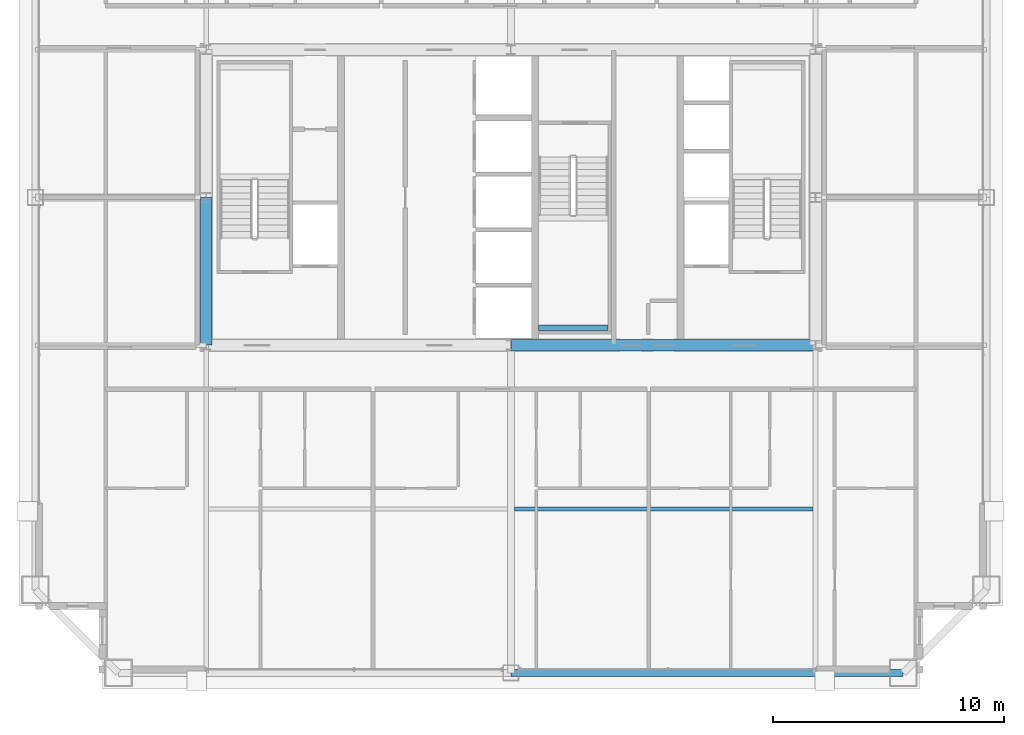
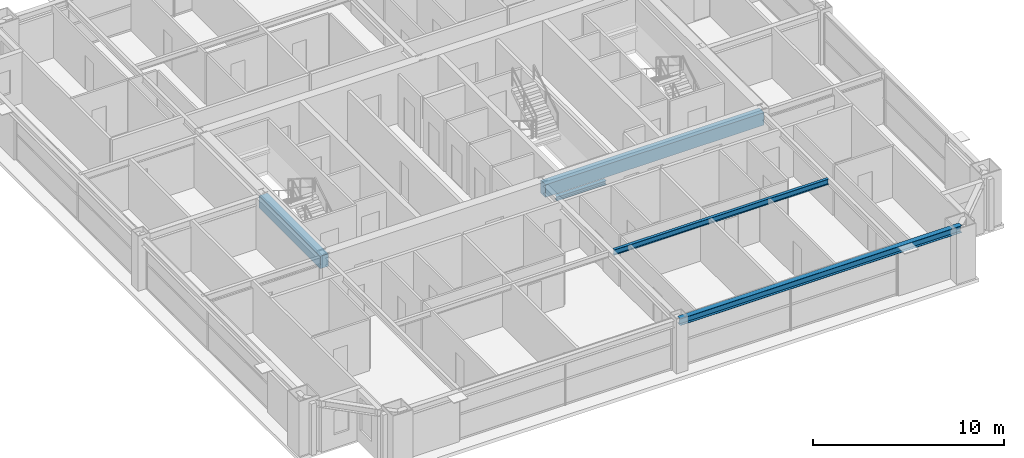
# One storey, part 12 of 37: 5 beams.
"""IFC4 building model written with IfcOpenShell, lengths in metres."""

from ifc_helpers import new_model, si_unit, direction, frame, origin, origin_2d, place, context, subcontext, project, spatial, rectangle, i_section, extrude, source, transform, mapped, material, material_profile, profile_set, type_object, element, save


model = new_model("IFC4")

# Units and contexts
model_context = context("Model", 3, precision=1e-05, world=origin(), true_north=direction((0.0, 1.0)))
body_context = subcontext(model_context, "Body", "Model", "MODEL_VIEW")
ifc_project = project(units=[si_unit("LENGTHUNIT", "METRE"), si_unit("AREAUNIT", "SQUARE_METRE"), si_unit("VOLUMEUNIT", "CUBIC_METRE"), si_unit("PLANEANGLEUNIT", "RADIAN"), si_unit("MASSUNIT", "GRAM", prefix="KILO"), si_unit("THERMODYNAMICTEMPERATUREUNIT", "KELVIN"), si_unit("POWERUNIT", "WATT")], contexts=[model_context])

# Site, building, storey
site_placement = place(None, origin())
site = spatial("IfcSite", under=ifc_project, at=site_placement, CompositionType="ELEMENT")
building_placement = place(site_placement, origin())
building = spatial("IfcBuilding", under=site, at=building_placement, Name="Yuzanri Waterfront Tower", CompositionType="ELEMENT")
storey_placement = place(building_placement, frame((0.0, 0.0, 252.10009765625)))
storey = spatial("IfcBuildingStorey", under=building, at=storey_placement, Name="L67", CompositionType="ELEMENT", Elevation=252.10009765625)

# Beams
ifc_material_1 = material(Name="Concrete C50", Category="concrete")
ifc_material_profile_1 = material_profile(ifc_material_1, rectangle(XDim=0.5, YDim=0.800048828125, at=origin_2d()), Name="RC 500x800")
ifc_profile_set_1 = profile_set([ifc_material_profile_1], Name="Concrete C50")
beam_type_1 = type_object("IfcBeamType", Name="Core Coupling Lintel Concrete C50 500x800", PredefinedType="LINTEL", material=ifc_profile_set_1)
shared_shape_1 = source(origin(), body_context, "Body", "SweptSolid", [
    extrude(rectangle(XDim=0.5, YDim=0.800048828125, at=origin_2d()), origin(), (0.0, 0.0, 1.0), 13.199951171875),
])
beam_1_placement = place(storey_placement, frame((37.0, 19.39990234375, 2.8798828125), z_axis=(1.0, 0.0, 0.0), x_axis=(0.0, 1.0, 0.0)))
element("IfcBeam", 1, at=beam_1_placement, inside=storey, type_object=beam_type_1, Name="L67 Core Tie Beam CS2", PredefinedType="LINTEL", context=body_context, shape_type="MappedRepresentation", body=[
    mapped(shared_shape_1, transform((0.0, 0.0, 0.0), scale=1.0)),
])
shared_shape_2 = source(origin(), body_context, "Body", "SweptSolid", [
    extrude(rectangle(XDim=0.5, YDim=0.800048828125, at=origin_2d()), origin(), (0.0, 0.0, 1.0), 6.400146484375),
])
beam_2_placement = place(storey_placement, frame((23.800048828125, 19.39990234375, 2.8798828125), z_axis=(0.0, 1.0, 0.0), x_axis=(-1.0, 0.0, 0.0)))
element("IfcBeam", 2, at=beam_2_placement, inside=storey, type_object=beam_type_1, Name="L67 Core Tie Beam CW1", PredefinedType="LINTEL", context=body_context, shape_type="MappedRepresentation", body=[
    mapped(shared_shape_2, transform((0.0, 0.0, 0.0), scale=1.0)),
])
ifc_material_2 = material(Name="Steel Q355B", Category="steel")
ifc_material_profile_2 = material_profile(ifc_material_2, i_section(OverallWidth=0.300048828125, OverallDepth=0.43994140625, WebThickness=0.010986328125, FlangeThickness=0.01806640625, at=origin_2d()), Name="HM 440x300x11x18")
ifc_profile_set_2 = profile_set([ifc_material_profile_2], Name="Steel Q355B")
beam_type_2 = type_object("IfcBeamType", Name="Perimeter Spandrel Q355B HM 440x300", PredefinedType="SPANDREL", material=ifc_profile_set_2)
shared_shape_3 = source(origin(), body_context, "Body", "SweptSolid", [
    extrude(i_section(OverallWidth=0.300048828125, OverallDepth=0.43994140625, WebThickness=0.010986328125, FlangeThickness=0.01806640625, at=origin_2d()), origin(), (0.0, 0.0, 1.0), 17.0),
])
beam_3_placement = place(storey_placement, frame((37.0, 5.199951171875, 3.059814453125), z_axis=(1.0, 0.0, 0.0), x_axis=(0.0, 1.0, 0.0)))
element("IfcBeam", 3, at=beam_3_placement, inside=storey, type_object=beam_type_2, Name="L67 Perimeter Spandrel S2-S3", PredefinedType="SPANDREL", context=body_context, shape_type="MappedRepresentation", body=[
    mapped(shared_shape_3, transform((0.0, 0.0, 0.0), scale=1.0)),
])
ifc_material_3 = material(Name="Steel Q355B", Category="steel")
ifc_material_profile_3 = material_profile(ifc_material_3, i_section(OverallWidth=0.175048828125, OverallDepth=0.35009765625, WebThickness=0.007080078125, FlangeThickness=0.010986328125, at=origin_2d()), Name="HN 350x175x7x11")
ifc_profile_set_3 = profile_set([ifc_material_profile_3], Name="Steel Q355B")
beam_type_3 = type_object("IfcBeamType", Name="Floor Joist Q355B HN 350x175", PredefinedType="JOIST", material=ifc_profile_set_3)
shared_shape_4 = source(origin(), body_context, "Body", "SweptSolid", [
    extrude(i_section(OverallWidth=0.175048828125, OverallDepth=0.35009765625, WebThickness=0.007080078125, FlangeThickness=0.010986328125, at=origin_2d()), origin(), (0.0, 0.0, 1.0), 12.9501953125),
])
beam_4_placement = place(storey_placement, frame((37.14990234375, 12.300048828125, 3.10498046875), z_axis=(1.0, 0.0, 0.0), x_axis=(0.0, 1.0, 0.0)))
element("IfcBeam", 4, at=beam_4_placement, inside=storey, type_object=beam_type_3, Name="L67 South Bay Joist E", PredefinedType="JOIST", context=body_context, shape_type="MappedRepresentation", body=[
    mapped(shared_shape_4, transform((0.0, 0.0, 0.0), scale=1.0)),
])
ifc_material_4 = material(Name="Steel Q355B", Category="steel")
ifc_material_profile_4 = material_profile(ifc_material_4, i_section(OverallWidth=0.25, OverallDepth=0.25, WebThickness=0.009033203125, FlangeThickness=0.013916015625, at=origin_2d()), Name="HW 250x250x9x14")
ifc_profile_set_4 = profile_set([ifc_material_profile_4], Name="Steel Q355B")
beam_type_4 = type_object("IfcBeamType", Name="Stair Landing Support Beam Q355B HW 250x250", PredefinedType="BEAM", material=ifc_profile_set_4)
shared_shape_5 = source(origin(), body_context, "Body", "SweptSolid", [
    extrude(i_section(OverallWidth=0.25, OverallDepth=0.25, WebThickness=0.009033203125, FlangeThickness=0.013916015625, at=origin_2d()), origin(), (0.0, 0.0, 1.0), 3.0),
])
beam_5_placement = place(storey_placement, frame((38.199951171875, 20.14990234375, 1.4248046875), z_axis=(1.0, 0.0, 0.0), x_axis=(0.0, 1.0, 0.0)))
element("IfcBeam", 5, at=beam_5_placement, inside=storey, type_object=beam_type_4, Name="L67 Stair Landing Support Beam ST-03-L67-L1-1", PredefinedType="BEAM", context=body_context, shape_type="MappedRepresentation", body=[
    mapped(shared_shape_5, transform((0.0, 0.0, 0.0), scale=1.0)),
])

save(model, "model.ifc")
